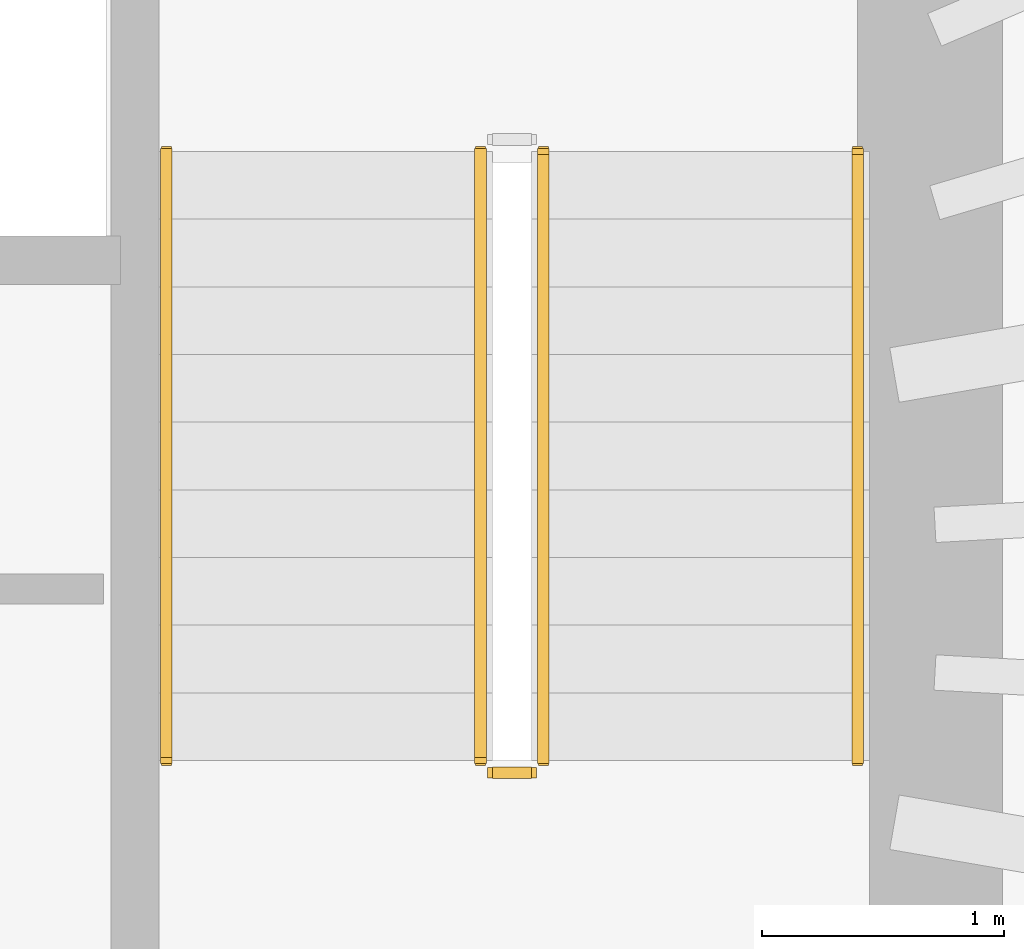
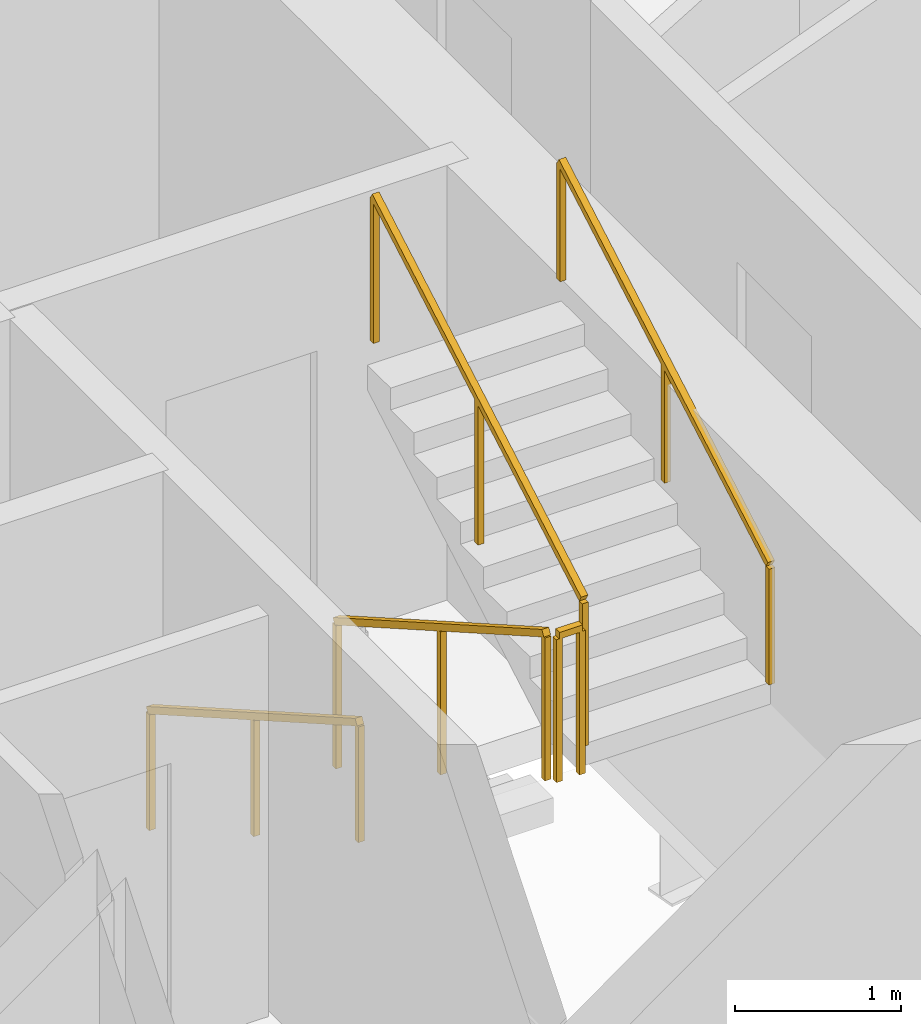
# One storey, part 10 of 12: 5 railings.
"""IFC4 building model written with IfcOpenShell, lengths in metres."""

from ifc_helpers import new_model, si_unit, direction, frame, origin, origin_2d, place, context, subcontext, project, spatial, rectangle, extrude, material, type_object, element, save


model = new_model("IFC4")

# Units and contexts
model_context = context("Model", 3, precision=1e-05, world=origin(), true_north=direction((0.0, 1.0)))
body_context = subcontext(model_context, "Body", "Model", "MODEL_VIEW")
ifc_project = project(units=[si_unit("LENGTHUNIT", "METRE"), si_unit("AREAUNIT", "SQUARE_METRE"), si_unit("VOLUMEUNIT", "CUBIC_METRE"), si_unit("PLANEANGLEUNIT", "RADIAN"), si_unit("MASSUNIT", "GRAM", prefix="KILO")], contexts=[model_context])

# Site, building, storey
site_placement = place(None, origin())
site = spatial("IfcSite", under=ifc_project, at=site_placement, CompositionType="ELEMENT")
building_placement = place(site_placement, origin())
building = spatial("IfcBuilding", under=site, at=building_placement, Name="Veldorim Arch Residences", CompositionType="ELEMENT")
storey_placement = place(building_placement, frame((0.0, 0.0, 142.56005859375)))
storey = spatial("IfcBuildingStorey", under=building, at=storey_placement, Name="L42", CompositionType="ELEMENT", Elevation=142.56005859375)

# Railings
ifc_material_1 = material(Name="Steel S355", Category="steel")
railing_type_1 = type_object("IfcRailingType", Name="Galvanised Steel Stair Safety Guardrail 1100", PredefinedType="GUARDRAIL", material=ifc_material_1)
railing_1_placement = place(storey_placement, frame((35.639892578125, 25.85009765625, 0.159912109375)))
element("IfcRailing", 1, at=railing_1_placement, inside=storey, type_object=railing_type_1, Name="L42 ST-2 stair guard 1", PredefinedType="GUARDRAIL", context=body_context, shape_type="SweptSolid", body=[
    extrude(rectangle(XDim=0.048095703125, YDim=0.048095703125, at=origin_2d()), frame((0.0, 0.0, 1.076171875), z_axis=(0.0, -0.868253494771, 0.496120820787), x_axis=(1.0, 0.0, 0.0)), (0.0, 0.0, 1.0), 2.90234375),
    extrude(rectangle(XDim=0.0419921875, YDim=0.0419921875, at=origin_2d()), origin(), (0.0, 0.0, 1.0), 1.052001953125),
    extrude(rectangle(XDim=0.0419921875, YDim=0.0419921875, at=origin_2d()), frame((0.0, -1.260009765625, 0.719970703125)), (0.0, 0.0, 1.0), 1.052001953125),
    extrude(rectangle(XDim=0.0419921875, YDim=0.0419921875, at=origin_2d()), frame((0.0, -2.52001953125, 1.43994140625)), (0.0, 0.0, 1.0), 1.052001953125),
])
railing_2_placement = place(storey_placement, frame((35.68994140625, 23.280029296875, 1.599853515625)))
element("IfcRailing", 2, at=railing_2_placement, inside=storey, type_object=railing_type_1, Name="L42 ST-2 stair guard 2", PredefinedType="GUARDRAIL", context=body_context, shape_type="SweptSolid", body=[
    extrude(rectangle(XDim=0.048095703125, YDim=0.048095703125, at=origin_2d()), frame((0.0, 0.0, 1.076171875), z_axis=(1.0, 0.0, 0.0), x_axis=(0.0, 1.0, 0.0)), (0.0, 0.0, 1.0), 0.16015625),
    extrude(rectangle(XDim=0.0419921875, YDim=0.0419921875, at=origin_2d()), origin(), (0.0, 0.0, 1.0), 1.052001953125),
    extrude(rectangle(XDim=0.0419921875, YDim=0.0419921875, at=origin_2d()), frame((0.16015625, 0.0, 0.0)), (0.0, 0.0, 1.0), 1.052001953125),
])
railing_3_placement = place(storey_placement, frame((35.89990234375, 23.330078125, 1.760009765625)))
element("IfcRailing", 3, at=railing_3_placement, inside=storey, type_object=railing_type_1, Name="L42 ST-2 stair guard 3", PredefinedType="GUARDRAIL", context=body_context, shape_type="SweptSolid", body=[
    extrude(rectangle(XDim=0.048095703125, YDim=0.048095703125, at=origin_2d()), frame((0.0, 0.0, 1.076171875), z_axis=(0.0, 0.868253494771, 0.496120820787), x_axis=(-1.0, 0.0, 0.0)), (0.0, 0.0, 1.0), 2.90234375),
    extrude(rectangle(XDim=0.0419921875, YDim=0.0419921875, at=origin_2d()), origin(), (0.0, 0.0, 1.0), 1.052001953125),
    extrude(rectangle(XDim=0.0419921875, YDim=0.0419921875, at=origin_2d()), frame((0.0, 1.260009765625, 0.719970703125)), (0.0, 0.0, 1.0), 1.052001953125),
    extrude(rectangle(XDim=0.0419921875, YDim=0.0419921875, at=origin_2d()), frame((0.0, 2.52001953125, 1.43994140625)), (0.0, 0.0, 1.0), 1.052001953125),
])
ifc_material_2 = material(Name="Stainless Steel", Category="steel")
railing_type_2 = type_object("IfcRailingType", Name="Tubular Steel Continuous Wall Handrail 900", PredefinedType="HANDRAIL", material=ifc_material_2)
railing_4_placement = place(storey_placement, frame((34.340087890625, 25.85009765625, 0.159912109375)))
element("IfcRailing", 4, at=railing_4_placement, inside=storey, type_object=railing_type_2, Name="L42 ST-2 stair handrail 1", PredefinedType="HANDRAIL", context=body_context, shape_type="SweptSolid", body=[
    extrude(rectangle(XDim=0.048095703125, YDim=0.048095703125, at=origin_2d()), frame((0.0, 0.0, 0.8759765625), z_axis=(0.0, -0.868253494771, 0.496120820787), x_axis=(1.0, 0.0, 0.0)), (0.0, 0.0, 1.0), 2.90234375),
    extrude(rectangle(XDim=0.0419921875, YDim=0.0419921875, at=origin_2d()), origin(), (0.0, 0.0, 1.0), 0.851806640625),
    extrude(rectangle(XDim=0.0419921875, YDim=0.0419921875, at=origin_2d()), frame((0.0, -1.260009765625, 0.719970703125)), (0.0, 0.0, 1.0), 0.851806640625),
    extrude(rectangle(XDim=0.0419921875, YDim=0.0419921875, at=origin_2d()), frame((0.0, -2.52001953125, 1.43994140625)), (0.0, 0.0, 1.0), 0.851806640625),
])
railing_5_placement = place(storey_placement, frame((37.199951171875, 23.330078125, 1.760009765625)))
element("IfcRailing", 5, at=railing_5_placement, inside=storey, type_object=railing_type_2, Name="L42 ST-2 stair handrail 2", PredefinedType="HANDRAIL", context=body_context, shape_type="SweptSolid", body=[
    extrude(rectangle(XDim=0.048095703125, YDim=0.048095703125, at=origin_2d()), frame((0.0, 0.0, 0.8759765625), z_axis=(0.0, 0.868253494771, 0.496120820787), x_axis=(-1.0, 0.0, 0.0)), (0.0, 0.0, 1.0), 2.90234375),
    extrude(rectangle(XDim=0.0419921875, YDim=0.0419921875, at=origin_2d()), origin(), (0.0, 0.0, 1.0), 0.851806640625),
    extrude(rectangle(XDim=0.0419921875, YDim=0.0419921875, at=origin_2d()), frame((0.0, 1.260009765625, 0.719970703125)), (0.0, 0.0, 1.0), 0.851806640625),
    extrude(rectangle(XDim=0.0419921875, YDim=0.0419921875, at=origin_2d()), frame((0.0, 2.52001953125, 1.43994140625)), (0.0, 0.0, 1.0), 0.851806640625),
])

save(model, "model.ifc")
